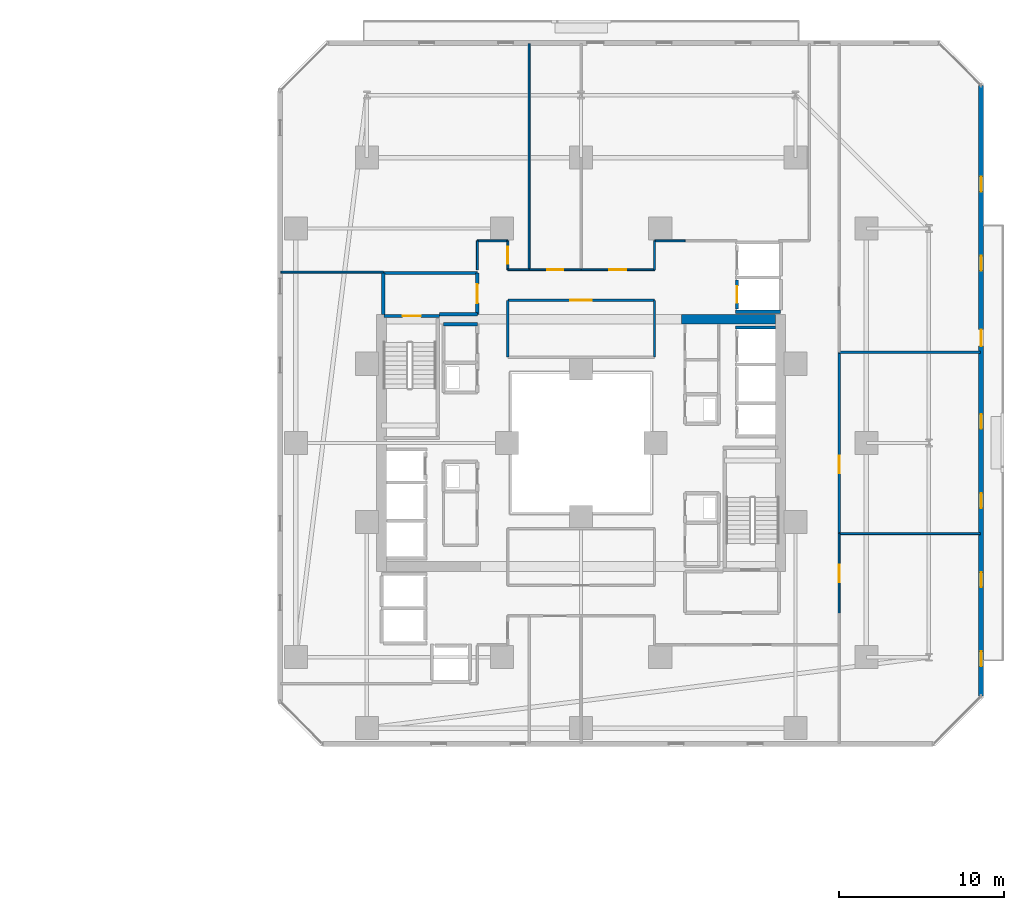
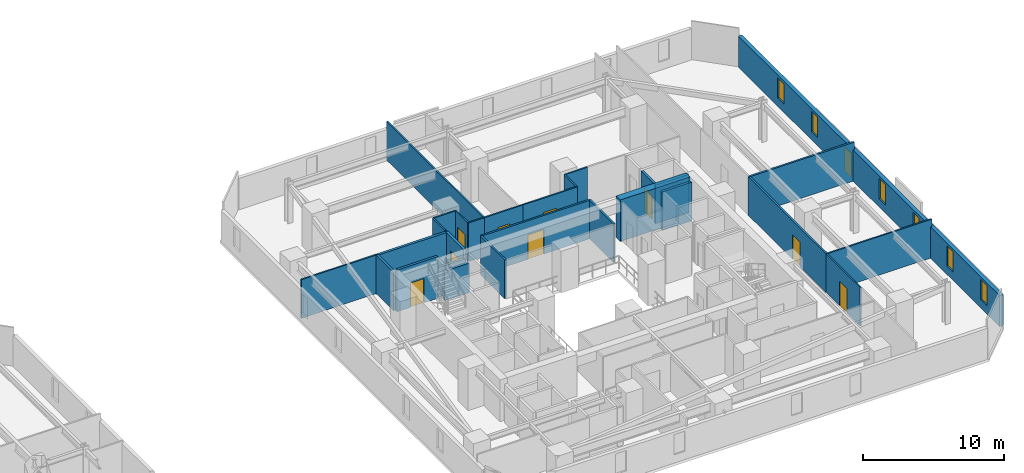
# One storey, part 27 of 35: 28 walls, 10 doors, 6 windows, 16 openings.
"""IFC4 building model written with IfcOpenShell, lengths in metres."""

from ifc_helpers import new_model, si_unit, direction, frame, frame_2d, origin, place, context, subcontext, project, spatial, rectangle, extrude, material, layer, layer_set, type_object, element, fill, save


model = new_model("IFC4")

# Units and contexts
model_context = context("Model", 3, precision=1e-05, world=origin(), true_north=direction((0.0, 1.0)))
body_context = subcontext(model_context, "Body", "Model", "MODEL_VIEW")
ifc_project = project(units=[si_unit("LENGTHUNIT", "METRE"), si_unit("AREAUNIT", "SQUARE_METRE"), si_unit("VOLUMEUNIT", "CUBIC_METRE"), si_unit("PLANEANGLEUNIT", "RADIAN"), si_unit("MASSUNIT", "GRAM", prefix="KILO")], contexts=[model_context])

# Site, building, storey
site_placement = place(None, origin())
site = spatial("IfcSite", under=ifc_project, at=site_placement, CompositionType="ELEMENT")
building_placement = place(site_placement, origin())
building = spatial("IfcBuilding", under=site, at=building_placement, Name="Thornwick Lancets Civic Towers", CompositionType="ELEMENT")
storey_placement = place(building_placement, frame((0.0, 0.0, 64.5)))
storey = spatial("IfcBuildingStorey", under=building, at=storey_placement, Name="L16", CompositionType="ELEMENT", Elevation=64.5)

# Wall, opening, door
ifc_material_1 = material(Name="Concrete blockwork C40/50", Category="masonry")
ifc_layer_1 = layer(ifc_material_1, 0.199951171875, Name="Concrete blockwork C40/50")
ifc_layer_set_1 = layer_set([ifc_layer_1], Name="Concrete blockwork C40/50")
wall_type_1 = type_object("IfcWallType", Name="WALL_COMP_200", PredefinedType="STANDARD", material=ifc_layer_set_1)
wall_1_placement = place(storey_placement, frame((97.949951171875, 36.8701171875, 0.0), z_axis=(0.0, 0.0, 1.0), x_axis=(0.0, -1.0, 0.0)))
wall_1 = element("IfcWall", 1, at=wall_1_placement, inside=storey, type_object=wall_type_1, Name="L16 Hoistway Front Wall PL-BL2", PredefinedType="STANDARD", context=body_context, shape_type="SweptSolid", body=[
    extrude(rectangle(XDim=1.740234375, YDim=0.199951171875, at=frame_2d((0.8701171875, 0.0))), origin(), (0.0, 0.0, 1.0), 3.340087890625),
])
opening_1_placement = place(wall_1_placement, frame((0.360107421875, 0.0, 0.0)))
opening_1 = element("IfcOpeningElement", 2, at=opening_1_placement, cuts=wall_1, Name="Opening LD-PL-BL2", PredefinedType="OPENING", context=body_context, shape_type="SweptSolid", body=[
    extrude(rectangle(XDim=1.02001953125, YDim=2.06005859375, at=frame_2d((0.510009765625, 1.030029296875))), frame((0.0, 0.10986328125, 0.0), z_axis=(0.0, -1.0, 0.0), x_axis=(1.0, 0.0, 0.0)), (0.0, 0.0, 1.0), 0.219970703125),
])
ifc_material_2 = material(Name="Brushed bronze stainless steel", Category="steel")
door_type_1 = type_object("IfcDoorType", Name="DOOR_LIFT_SLIDE", OperationType="SLIDING_TO_LEFT", PredefinedType="DOOR", material=ifc_material_2)
door_1_placement = place(opening_1_placement, origin())
door_1 = element("IfcDoor", 3, at=door_1_placement, inside=storey, type_object=door_type_1, Name="L16 Sliding Lift Landing Door LD-PL-BL2", OperationType="SLIDING_TO_LEFT", OverallHeight=2.06005859375, OverallWidth=1.02001953125, PredefinedType="DOOR", context=body_context, shape_type="SweptSolid", body=[
    extrude(rectangle(XDim=1.02001953125, YDim=2.06005859375, at=frame_2d((0.510009765625, 1.030029296875))), frame((0.0, 0.02490234375, 0.0), z_axis=(0.0, -1.0, 0.0), x_axis=(1.0, 0.0, 0.0)), (0.0, 0.0, 1.0), 0.050048828125),
])
fill(opening_1, door_1)

# Walls
wall_2_placement = place(storey_placement, frame((97.85205078125, 34.0, 0.0), z_axis=(0.0, 0.0, 1.0), x_axis=(1.0, 0.0, 0.0)))
element("IfcWall", 4, at=wall_2_placement, inside=storey, type_object=wall_type_1, Name="L16 Hoistway Shaft Wall PL-BL1 N", PredefinedType="STANDARD", context=body_context, shape_type="SweptSolid", body=[
    extrude(rectangle(XDim=2.43603515625, YDim=0.199951171875, at=frame_2d((1.218017578125, 0.0))), origin(), (0.0, 0.0, 1.0), 3.340087890625),
])
wall_3_placement = place(storey_placement, frame((97.85205078125, 34.949951171875, 0.0), z_axis=(0.0, 0.0, 1.0), x_axis=(1.0, 0.0, 0.0)))
element("IfcWall", 5, at=wall_3_placement, inside=storey, type_object=wall_type_1, Name="L16 Hoistway Shaft Wall PL-BL2 S", PredefinedType="STANDARD", context=body_context, shape_type="SweptSolid", body=[
    extrude(rectangle(XDim=2.745849609375, YDim=0.199951171875, at=frame_2d((1.373046875, 0.0))), origin(), (0.0, 0.0, 1.0), 3.340087890625),
])
wall_4_placement = place(storey_placement, frame((79.89990234375, 34.800048828125, 0.0), z_axis=(0.0, 0.0, 1.0), x_axis=(1.0, 0.0, 0.0)))
element("IfcWall", 6, at=wall_4_placement, inside=storey, type_object=wall_type_1, Name="L16 Partition L16-B-FFLOB2 E1", PredefinedType="STANDARD", context=body_context, shape_type="SweptSolid", body=[
    extrude(rectangle(XDim=2.300048828125, YDim=0.199951171875, at=frame_2d((1.14990234375, 0.0))), origin(), (0.0, 0.0, 1.0), 2.544921875),
])

# Wall, opening, door
wall_5_placement = place(storey_placement, frame((82.199951171875, 34.800048828125, 0.0), z_axis=(0.0, 0.0, 1.0), x_axis=(0.0, 1.0, 0.0)))
wall_5 = element("IfcWall", 7, at=wall_5_placement, inside=storey, type_object=wall_type_1, Name="L16 Partition L16-B-FFLOB2 E2", PredefinedType="STANDARD", context=body_context, shape_type="SweptSolid", body=[
    extrude(rectangle(XDim=2.5, YDim=0.199951171875, at=frame_2d((1.25, 0.0))), origin(), (0.0, 0.0, 1.0), 3.340087890625),
])
opening_2_placement = place(wall_5_placement, frame((0.675048828125, 0.0, 0.0)))
opening_2 = element("IfcOpeningElement", 8, at=opening_2_placement, cuts=wall_5, Name="Opening D-L16-0765", PredefinedType="OPENING", context=body_context, shape_type="SweptSolid", body=[
    extrude(rectangle(XDim=1.14990234375, YDim=2.10009765625, at=frame_2d((0.574951171875, 1.050048828125))), frame((0.0, 0.10986328125, 0.0), z_axis=(0.0, -1.0, 0.0), x_axis=(1.0, 0.0, 0.0)), (0.0, 0.0, 1.0), 0.219970703125),
])
ifc_material_3 = material(Name="Glazed fire-resisting steel", Category="steel")
door_type_2 = type_object("IfcDoorType", Name="DOOR_LOBBY_FD60", OperationType="NOTDEFINED", PredefinedType="DOOR", material=ifc_material_3)
door_2_placement = place(opening_2_placement, origin())
door_2 = element("IfcDoor", 9, at=door_2_placement, inside=storey, type_object=door_type_2, Name="L16 West Firefighting Lobby 2 Door", OperationType="SINGLE_SWING_RIGHT", OverallHeight=2.10009765625, OverallWidth=1.14990234375, PredefinedType="DOOR", context=body_context, shape_type="SweptSolid", body=[
    extrude(rectangle(XDim=1.14990234375, YDim=2.10009765625, at=frame_2d((0.574951171875, 1.050048828125))), frame((0.0, 0.02490234375, 0.0), z_axis=(0.0, -1.0, 0.0), x_axis=(1.0, 0.0, 0.0)), (0.0, 0.0, 1.0), 0.050048828125),
])
fill(opening_2, door_2)

# Walls
wall_6_placement = place(storey_placement, frame((82.199951171875, 37.300048828125, 0.0), z_axis=(0.0, 0.0, 1.0), x_axis=(-1.0, 0.0, 0.0)))
element("IfcWall", 10, at=wall_6_placement, inside=storey, type_object=wall_type_1, Name="L16 Partition L16-B-FFLOB2 E3", PredefinedType="STANDARD", context=body_context, shape_type="SweptSolid", body=[
    extrude(rectangle(XDim=5.699951171875, YDim=0.199951171875, at=frame_2d((2.85009765625, 0.0))), origin(), (0.0, 0.0, 1.0), 3.340087890625),
])
wall_7_placement = place(storey_placement, frame((76.5, 37.300048828125, 0.0), z_axis=(0.0, 0.0, 1.0), x_axis=(0.0, -1.0, 0.0)))
element("IfcWall", 11, at=wall_7_placement, inside=storey, type_object=wall_type_1, Name="L16 Partition L16-B-FFLOB2 E4", PredefinedType="STANDARD", context=body_context, shape_type="SweptSolid", body=[
    extrude(rectangle(XDim=2.5, YDim=0.199951171875, at=frame_2d((1.25, 0.0))), origin(), (0.0, 0.0, 1.0), 3.340087890625),
])
wall_8_placement = place(storey_placement, frame((80.14990234375, 34.199951171875, 0.0), z_axis=(0.0, 0.0, 1.0), x_axis=(1.0, 0.0, 0.0)))
element("IfcWall", 12, at=wall_8_placement, inside=storey, type_object=wall_type_1, Name="L16 Partition L16-B-STR E2", PredefinedType="STANDARD", context=body_context, shape_type="SweptSolid", body=[
    extrude(rectangle(XDim=2.050048828125, YDim=0.199951171875, at=frame_2d((1.02490234375, 0.0))), origin(), (0.0, 0.0, 1.0), 2.544921875),
])
ifc_material_4 = material(Name="Concrete C60/75", Category="concrete")
ifc_layer_2 = layer(ifc_material_4, 0.60009765625, Name="Concrete C60/75")
ifc_layer_set_2 = layer_set([ifc_layer_2], Name="Concrete C60/75")
wall_type_2 = type_object("IfcWallType", Name="WALL_CORE_600", PredefinedType="SHEAR", material=ifc_layer_set_2)
wall_9_placement = place(storey_placement, frame((94.60009765625, 34.5, 0.0), z_axis=(0.0, 0.0, 1.0), x_axis=(1.0, 0.0, 0.0)))
element("IfcWall", 13, at=wall_9_placement, inside=storey, type_object=wall_type_2, Name="L16 Split Core B1 Shear Wall N", PredefinedType="SHEAR", context=body_context, shape_type="SweptSolid", body=[
    extrude(rectangle(XDim=5.699951171875, YDim=0.60009765625, at=frame_2d((2.85009765625, 0.0))), origin(), (0.0, 0.0, 1.0), 3.60009765625),
])

# Wall, openings, door, windows
ifc_material_5 = material(Name="Insulated russet terracotta rainscreen on concrete C40/50", Category="masonry")
ifc_layer_3 = layer(ifc_material_5, 0.300048828125, Name="Insulated russet terracotta rainscreen on concrete C40/50")
ifc_layer_set_3 = layer_set([ifc_layer_3], Name="Insulated russet terracotta rainscreen on concrete C40/50")
wall_type_3 = type_object("IfcWallType", Name="WALL_EXT_RUSSET_300", PredefinedType="STANDARD", material=ifc_layer_set_3)
wall_10_placement = place(storey_placement, frame((112.763671875, 11.64453125, 0.0), z_axis=(0.0, 0.0, 1.0), x_axis=(3.2959355e-05, 0.999999999457, 0.0)))
wall_10 = element("IfcWall", 14, at=wall_10_placement, inside=storey, type_object=wall_type_3, Name="L16 Tower B Terracotta Facade Wall E2", PredefinedType="STANDARD", context=body_context, shape_type="SweptSolid", body=[
    extrude(rectangle(XDim=37.03662109375, YDim=0.300048828125, at=frame_2d((18.518310546875, 0.0))), origin(), (0.0, 0.0, 1.0), 2.699951171875),
])
opening_3_placement = place(wall_10_placement, frame((21.21826171875, 0.0, 0.0)))
opening_3 = element("IfcOpeningElement", 15, at=opening_3_placement, cuts=wall_10, Name="Opening D-BL-L16-BE", PredefinedType="OPENING", context=body_context, shape_type="SweptSolid", body=[
    extrude(rectangle(XDim=1.0, YDim=2.080078125, at=frame_2d((0.5, 1.0400390625))), frame((0.0, 0.16015625, 0.0), z_axis=(0.0, -1.0, 0.0), x_axis=(1.0, 0.0, 0.0)), (0.0, 0.0, 1.0), 0.320068359375),
])
opening_4_placement = place(wall_10_placement, frame((1.800048828125, 0.0, 0.719970703125)))
opening_4 = element("IfcOpeningElement", 16, at=opening_4_placement, cuts=wall_10, Name="Opening WL-01", PredefinedType="OPENING", context=body_context, shape_type="SweptSolid", body=[
    extrude(rectangle(XDim=0.89990234375, YDim=1.75, at=frame_2d((0.449951171875, 0.875))), frame((0.0, 0.16015625, 0.0), z_axis=(0.0, -1.0, 0.0), x_axis=(1.0, 0.0, 0.0)), (0.0, 0.0, 1.0), 0.320068359375),
])
opening_5_placement = place(wall_10_placement, frame((6.60009765625, 0.0, 0.719970703125)))
opening_5 = element("IfcOpeningElement", 17, at=opening_5_placement, cuts=wall_10, Name="Opening WL-01", PredefinedType="OPENING", context=body_context, shape_type="SweptSolid", body=[
    extrude(rectangle(XDim=0.89990234375, YDim=1.75, at=frame_2d((0.449951171875, 0.875))), frame((0.0, 0.16015625, 0.0), z_axis=(0.0, -1.0, 0.0), x_axis=(1.0, 0.0, 0.0)), (0.0, 0.0, 1.0), 0.320068359375),
])
opening_6_placement = place(wall_10_placement, frame((11.39990234375, 0.0, 0.719970703125)))
opening_6 = element("IfcOpeningElement", 18, at=opening_6_placement, cuts=wall_10, Name="Opening WL-01", PredefinedType="OPENING", context=body_context, shape_type="SweptSolid", body=[
    extrude(rectangle(XDim=0.89990234375, YDim=1.75, at=frame_2d((0.449951171875, 0.875))), frame((0.0, 0.16015625, 0.0), z_axis=(0.0, -1.0, 0.0), x_axis=(1.0, 0.0, 0.0)), (0.0, 0.0, 1.0), 0.320068359375),
])
opening_7_placement = place(wall_10_placement, frame((16.199951171875, 0.0, 0.719970703125)))
opening_7 = element("IfcOpeningElement", 19, at=opening_7_placement, cuts=wall_10, Name="Opening WL-01", PredefinedType="OPENING", context=body_context, shape_type="SweptSolid", body=[
    extrude(rectangle(XDim=0.89990234375, YDim=1.75, at=frame_2d((0.449951171875, 0.875))), frame((0.0, 0.16015625, 0.0), z_axis=(0.0, -1.0, 0.0), x_axis=(1.0, 0.0, 0.0)), (0.0, 0.0, 1.0), 0.320068359375),
])
opening_8_placement = place(wall_10_placement, frame((25.800048828125, 0.0, 0.719970703125)))
opening_8 = element("IfcOpeningElement", 20, at=opening_8_placement, cuts=wall_10, Name="Opening WL-01", PredefinedType="OPENING", context=body_context, shape_type="SweptSolid", body=[
    extrude(rectangle(XDim=0.89990234375, YDim=1.75, at=frame_2d((0.449951171875, 0.875))), frame((0.0, 0.16015625, 0.0), z_axis=(0.0, -1.0, 0.0), x_axis=(1.0, 0.0, 0.0)), (0.0, 0.0, 1.0), 0.320068359375),
])
opening_9_placement = place(wall_10_placement, frame((30.60009765625, 0.0, 0.719970703125)))
opening_9 = element("IfcOpeningElement", 21, at=opening_9_placement, cuts=wall_10, Name="Opening WL-01", PredefinedType="OPENING", context=body_context, shape_type="SweptSolid", body=[
    extrude(rectangle(XDim=0.89990234375, YDim=1.75, at=frame_2d((0.449951171875, 0.875))), frame((0.0, 0.16015625, 0.0), z_axis=(0.0, -1.0, 0.0), x_axis=(1.0, 0.0, 0.0)), (0.0, 0.0, 1.0), 0.320068359375),
])
ifc_material_6 = material(Name="Thermally broken glazed loggia doorset")
door_type_3 = type_object("IfcDoorType", Name="DOOR_BALC_1000", OperationType="NOTDEFINED", PredefinedType="DOOR", material=ifc_material_6)
door_3_placement = place(opening_3_placement, origin())
door_3 = element("IfcDoor", 22, at=door_3_placement, inside=storey, type_object=door_type_3, Name="L16 Tower B Loggia Balcony Door E", OperationType="SINGLE_SWING_LEFT", OverallHeight=2.080078125, OverallWidth=1.0, PredefinedType="DOOR", context=body_context, shape_type="SweptSolid", body=[
    extrude(rectangle(XDim=1.0, YDim=2.080078125, at=frame_2d((0.5, 1.0400390625))), frame((0.0, 0.02490234375, 0.0), z_axis=(0.0, -1.0, 0.0), x_axis=(1.0, 0.0, 0.0)), (0.0, 0.0, 1.0), 0.050048828125),
])
fill(opening_3, door_3)
ifc_material_7 = material(Name="Clear low-e double glazing in bronze frame", Category="glass")
window_type = type_object("IfcWindowType", Name="WIN_LANCET_900", PartitioningType="SINGLE_PANEL", PredefinedType="WINDOW", material=ifc_material_7)
window_1_placement = place(opening_4_placement, origin())
window_1 = element("IfcWindow", 23, at=window_1_placement, inside=storey, type_object=window_type, Name="L16 Tower B Staggered Lancet Window E2-1", OverallHeight=1.75, OverallWidth=0.89990234375, PartitioningType="SINGLE_PANEL", PredefinedType="WINDOW", context=body_context, shape_type="SweptSolid", body=[
    extrude(rectangle(XDim=0.89990234375, YDim=1.75, at=frame_2d((0.449951171875, 0.875))), frame((0.0, 0.030029296875, 0.0), z_axis=(0.0, -1.0, 0.0), x_axis=(1.0, 0.0, 0.0)), (0.0, 0.0, 1.0), 0.06005859375),
])
fill(opening_4, window_1)
window_2_placement = place(opening_5_placement, origin())
window_2 = element("IfcWindow", 24, at=window_2_placement, inside=storey, type_object=window_type, Name="L16 Tower B Staggered Lancet Window E2-2", OverallHeight=1.75, OverallWidth=0.89990234375, PartitioningType="SINGLE_PANEL", PredefinedType="WINDOW", context=body_context, shape_type="SweptSolid", body=[
    extrude(rectangle(XDim=0.89990234375, YDim=1.75, at=frame_2d((0.449951171875, 0.875))), frame((0.0, 0.030029296875, 0.0), z_axis=(0.0, -1.0, 0.0), x_axis=(1.0, 0.0, 0.0)), (0.0, 0.0, 1.0), 0.06005859375),
])
fill(opening_5, window_2)
window_3_placement = place(opening_6_placement, origin())
window_3 = element("IfcWindow", 25, at=window_3_placement, inside=storey, type_object=window_type, Name="L16 Tower B Staggered Lancet Window E2-3", OverallHeight=1.75, OverallWidth=0.89990234375, PartitioningType="SINGLE_PANEL", PredefinedType="WINDOW", context=body_context, shape_type="SweptSolid", body=[
    extrude(rectangle(XDim=0.89990234375, YDim=1.75, at=frame_2d((0.449951171875, 0.875))), frame((0.0, 0.030029296875, 0.0), z_axis=(0.0, -1.0, 0.0), x_axis=(1.0, 0.0, 0.0)), (0.0, 0.0, 1.0), 0.06005859375),
])
fill(opening_6, window_3)
window_4_placement = place(opening_7_placement, origin())
window_4 = element("IfcWindow", 26, at=window_4_placement, inside=storey, type_object=window_type, Name="L16 Tower B Staggered Lancet Window E2-4", OverallHeight=1.75, OverallWidth=0.89990234375, PartitioningType="SINGLE_PANEL", PredefinedType="WINDOW", context=body_context, shape_type="SweptSolid", body=[
    extrude(rectangle(XDim=0.89990234375, YDim=1.75, at=frame_2d((0.449951171875, 0.875))), frame((0.0, 0.030029296875, 0.0), z_axis=(0.0, -1.0, 0.0), x_axis=(1.0, 0.0, 0.0)), (0.0, 0.0, 1.0), 0.06005859375),
])
fill(opening_7, window_4)
window_5_placement = place(opening_8_placement, origin())
window_5 = element("IfcWindow", 27, at=window_5_placement, inside=storey, type_object=window_type, Name="L16 Tower B Staggered Lancet Window E2-5", OverallHeight=1.75, OverallWidth=0.89990234375, PartitioningType="SINGLE_PANEL", PredefinedType="WINDOW", context=body_context, shape_type="SweptSolid", body=[
    extrude(rectangle(XDim=0.89990234375, YDim=1.75, at=frame_2d((0.449951171875, 0.875))), frame((0.0, 0.030029296875, 0.0), z_axis=(0.0, -1.0, 0.0), x_axis=(1.0, 0.0, 0.0)), (0.0, 0.0, 1.0), 0.06005859375),
])
fill(opening_8, window_5)
window_6_placement = place(opening_9_placement, origin())
window_6 = element("IfcWindow", 28, at=window_6_placement, inside=storey, type_object=window_type, Name="L16 Tower B Staggered Lancet Window E2-6", OverallHeight=1.75, OverallWidth=0.89990234375, PartitioningType="SINGLE_PANEL", PredefinedType="WINDOW", context=body_context, shape_type="SweptSolid", body=[
    extrude(rectangle(XDim=0.89990234375, YDim=1.75, at=frame_2d((0.449951171875, 0.875))), frame((0.0, 0.030029296875, 0.0), z_axis=(0.0, -1.0, 0.0), x_axis=(1.0, 0.0, 0.0)), (0.0, 0.0, 1.0), 0.06005859375),
])
fill(opening_9, window_6)

# Walls
ifc_material_8 = material(Name="Acoustic gypsum board partition")
ifc_layer_4 = layer(ifc_material_8, 0.1201171875, Name="Acoustic gypsum board partition")
ifc_layer_set_4 = layer_set([ifc_layer_4], Name="Acoustic gypsum board partition")
wall_type_4 = type_object("IfcWallType", Name="WALL_PART_120", PredefinedType="PARTITIONING", material=ifc_layer_set_4)
wall_11_placement = place(storey_placement, frame((94.800048828125, 39.25, 0.0), z_axis=(0.0, 0.0, 1.0), x_axis=(-1.0, 0.0, 0.0)))
element("IfcWall", 29, at=wall_11_placement, inside=storey, type_object=wall_type_4, Name="L16 Partition L16-B-E1 E2", PredefinedType="PARTITIONING", context=body_context, shape_type="SweptSolid", body=[
    extrude(rectangle(XDim=1.85009765625, YDim=0.1201171875, at=frame_2d((0.925048828125, 0.0))), origin(), (0.0, 0.0, 1.0), 3.340087890625),
])
wall_12_placement = place(storey_placement, frame((92.949951171875, 39.25, 0.0), z_axis=(0.0, 0.0, 1.0), x_axis=(0.0, -1.0, 0.0)))
element("IfcWall", 30, at=wall_12_placement, inside=storey, type_object=wall_type_4, Name="L16 Partition L16-B-E1 E3", PredefinedType="PARTITIONING", context=body_context, shape_type="SweptSolid", body=[
    extrude(rectangle(XDim=1.75, YDim=0.1201171875, at=frame_2d((0.875, 0.0))), origin(), (0.0, 0.0, 1.0), 3.340087890625),
])

# Wall, opening, door
wall_13_placement = place(storey_placement, frame((92.949951171875, 37.5, 0.0), z_axis=(0.0, 0.0, 1.0), x_axis=(-1.0, 0.0, 0.0)))
wall_13 = element("IfcWall", 31, at=wall_13_placement, inside=storey, type_object=wall_type_4, Name="L16 Partition L16-B-E1 E4", PredefinedType="PARTITIONING", context=body_context, shape_type="SweptSolid", body=[
    extrude(rectangle(XDim=4.449951171875, YDim=0.1201171875, at=frame_2d((2.22509765625, 0.0))), origin(), (0.0, 0.0, 1.0), 3.340087890625),
])
opening_10_placement = place(wall_13_placement, frame((1.699951171875, 0.0, 0.0)))
opening_10 = element("IfcOpeningElement", 32, at=opening_10_placement, cuts=wall_13, Name="Opening D-L16-0789", PredefinedType="OPENING", context=body_context, shape_type="SweptSolid", body=[
    extrude(rectangle(XDim=1.050048828125, YDim=2.10009765625, at=frame_2d((0.52490234375, 1.050048828125))), frame((0.0, 0.070068359375, 0.0), z_axis=(0.0, -1.0, 0.0), x_axis=(1.0, 0.0, 0.0)), (0.0, 0.0, 1.0), 0.14013671875),
])
ifc_material_9 = material(Name="Glazed European oak executive doorset")
door_type_4 = type_object("IfcDoorType", Name="DOOR_OFFICE_1050", OperationType="NOTDEFINED", PredefinedType="DOOR", material=ifc_material_9)
door_4_placement = place(opening_10_placement, origin())
door_4 = element("IfcDoor", 33, at=door_4_placement, inside=storey, type_object=door_type_4, Name="L16 Tower B Secretariat Open Office E1 Door", OperationType="SINGLE_SWING_RIGHT", OverallHeight=2.10009765625, OverallWidth=1.050048828125, PredefinedType="DOOR", context=body_context, shape_type="SweptSolid", body=[
    extrude(rectangle(XDim=1.050048828125, YDim=2.10009765625, at=frame_2d((0.52490234375, 1.050048828125))), frame((0.0, 0.02490234375, 0.0), z_axis=(0.0, -1.0, 0.0), x_axis=(1.0, 0.0, 0.0)), (0.0, 0.0, 1.0), 0.050048828125),
])
fill(opening_10, door_4)

# Wall
wall_14_placement = place(storey_placement, frame((85.35009765625, 37.5, 0.0), z_axis=(0.0, 0.0, 1.0), x_axis=(0.0, 1.0, 0.0)))
element("IfcWall", 34, at=wall_14_placement, inside=storey, type_object=wall_type_4, Name="L16 Partition L16-B-E2 E1", PredefinedType="PARTITIONING", context=body_context, shape_type="SweptSolid", body=[
    extrude(rectangle(XDim=13.719970703125, YDim=0.1201171875, at=frame_2d((6.85986328125, 0.0))), origin(), (0.0, 0.0, 1.0), 3.340087890625),
])

# Wall, opening, door
wall_15_placement = place(storey_placement, frame((88.5, 37.5, 0.0), z_axis=(0.0, 0.0, 1.0), x_axis=(-1.0, 0.0, 0.0)))
wall_15 = element("IfcWall", 35, at=wall_15_placement, inside=storey, type_object=wall_type_4, Name="L16 Partition L16-B-E2 E4", PredefinedType="PARTITIONING", context=body_context, shape_type="SweptSolid", body=[
    extrude(rectangle(XDim=3.14990234375, YDim=0.1201171875, at=frame_2d((1.574951171875, 0.0))), origin(), (0.0, 0.0, 1.0), 3.340087890625),
])
opening_11_placement = place(wall_15_placement, frame((1.10009765625, 0.0, 0.0)))
opening_11 = element("IfcOpeningElement", 36, at=opening_11_placement, cuts=wall_15, Name="Opening D-L16-0790", PredefinedType="OPENING", context=body_context, shape_type="SweptSolid", body=[
    extrude(rectangle(XDim=0.949951171875, YDim=2.10009765625, at=frame_2d((0.47509765625, 1.050048828125))), frame((0.0, 0.070068359375, 0.0), z_axis=(0.0, -1.0, 0.0), x_axis=(1.0, 0.0, 0.0)), (0.0, 0.0, 1.0), 0.14013671875),
])
ifc_material_10 = material(Name="European oak acoustic doorset")
door_type_5 = type_object("IfcDoorType", Name="DOOR_OFFICE_950", OperationType="NOTDEFINED", PredefinedType="DOOR", material=ifc_material_10)
door_5_placement = place(opening_11_placement, origin())
door_5 = element("IfcDoor", 37, at=door_5_placement, inside=storey, type_object=door_type_5, Name="L16 Tower B Visitors Reception and Waiting Door", OperationType="SINGLE_SWING_LEFT", OverallHeight=2.10009765625, OverallWidth=0.949951171875, PredefinedType="DOOR", context=body_context, shape_type="SweptSolid", body=[
    extrude(rectangle(XDim=0.949951171875, YDim=2.10009765625, at=frame_2d((0.47509765625, 1.050048828125))), frame((0.0, 0.02490234375, 0.0), z_axis=(0.0, -1.0, 0.0), x_axis=(1.0, 0.0, 0.0)), (0.0, 0.0, 1.0), 0.050048828125),
])
fill(opening_11, door_5)

wall_16_placement = place(storey_placement, frame((84.050048828125, 37.5, 0.0), z_axis=(0.0, 0.0, 1.0), x_axis=(0.0, 1.0, 0.0)))
wall_16 = element("IfcWall", 38, at=wall_16_placement, inside=storey, type_object=wall_type_4, Name="L16 Partition L16-B-E3 E1", PredefinedType="PARTITIONING", context=body_context, shape_type="SweptSolid", body=[
    extrude(rectangle(XDim=1.75, YDim=0.1201171875, at=frame_2d((0.875, 0.0))), origin(), (0.0, 0.0, 1.0), 3.340087890625),
])
opening_12_placement = place(wall_16_placement, frame((0.35009765625, 0.0, 0.0)))
opening_12 = element("IfcOpeningElement", 39, at=opening_12_placement, cuts=wall_16, Name="Opening D-L16-0791", PredefinedType="OPENING", context=body_context, shape_type="SweptSolid", body=[
    extrude(rectangle(XDim=1.050048828125, YDim=2.10009765625, at=frame_2d((0.52490234375, 1.050048828125))), frame((0.0, 0.070068359375, 0.0), z_axis=(0.0, -1.0, 0.0), x_axis=(1.0, 0.0, 0.0)), (0.0, 0.0, 1.0), 0.14013671875),
])
door_6_placement = place(opening_12_placement, origin())
door_6 = element("IfcDoor", 40, at=door_6_placement, inside=storey, type_object=door_type_4, Name="L16 Tower B Civic Seminar Room Door", OperationType="SINGLE_SWING_RIGHT", OverallHeight=2.10009765625, OverallWidth=1.050048828125, PredefinedType="DOOR", context=body_context, shape_type="SweptSolid", body=[
    extrude(rectangle(XDim=1.050048828125, YDim=2.10009765625, at=frame_2d((0.52490234375, 1.050048828125))), frame((0.0, 0.02490234375, 0.0), z_axis=(0.0, -1.0, 0.0), x_axis=(1.0, 0.0, 0.0)), (0.0, 0.0, 1.0), 0.050048828125),
])
fill(opening_12, door_6)

# Walls
wall_17_placement = place(storey_placement, frame((84.050048828125, 39.25, 0.0), z_axis=(0.0, 0.0, 1.0), x_axis=(-1.0, 0.0, 0.0)))
element("IfcWall", 41, at=wall_17_placement, inside=storey, type_object=wall_type_4, Name="L16 Partition L16-B-E3 E2", PredefinedType="PARTITIONING", context=body_context, shape_type="SweptSolid", body=[
    extrude(rectangle(XDim=1.85009765625, YDim=0.1201171875, at=frame_2d((0.925048828125, 0.0))), origin(), (0.0, 0.0, 1.0), 3.340087890625),
])
wall_18_placement = place(storey_placement, frame((82.199951171875, 39.25, 0.0), z_axis=(0.0, 0.0, 1.0), x_axis=(0.0, -1.0, 0.0)))
element("IfcWall", 42, at=wall_18_placement, inside=storey, type_object=wall_type_4, Name="L16 Partition L16-B-E3 E3", PredefinedType="PARTITIONING", context=body_context, shape_type="SweptSolid", body=[
    extrude(rectangle(XDim=1.75, YDim=0.1201171875, at=frame_2d((0.875, 0.0))), origin(), (0.0, 0.0, 1.0), 3.340087890625),
])
wall_19_placement = place(storey_placement, frame((76.5, 37.35009765625, 0.0), z_axis=(0.0, 0.0, 1.0), x_axis=(-1.0, 0.0, 0.0)))
element("IfcWall", 43, at=wall_19_placement, inside=storey, type_object=wall_type_4, Name="L16 Partition L16-B-E3 E5", PredefinedType="PARTITIONING", context=body_context, shape_type="SweptSolid", body=[
    extrude(rectangle(XDim=6.219970703125, YDim=0.1201171875, at=frame_2d((3.10986328125, 0.0))), origin(), (0.0, 0.0, 1.0), 3.340087890625),
])
wall_20_placement = place(storey_placement, frame((85.35009765625, 37.5, 0.0), z_axis=(0.0, 0.0, 1.0), x_axis=(-1.0, 0.0, 0.0)))
element("IfcWall", 44, at=wall_20_placement, inside=storey, type_object=wall_type_4, Name="L16 Partition L16-B-E3 E10", PredefinedType="PARTITIONING", context=body_context, shape_type="SweptSolid", body=[
    extrude(rectangle(XDim=1.300048828125, YDim=0.1201171875, at=frame_2d((0.64990234375, 0.0))), origin(), (0.0, 0.0, 1.0), 3.340087890625),
])

# Wall, opening, door
wall_21_placement = place(storey_placement, frame((104.14990234375, 16.64990234375, 0.0), z_axis=(0.0, 0.0, 1.0), x_axis=(0.0, 1.0, 0.0)))
wall_21 = element("IfcWall", 45, at=wall_21_placement, inside=storey, type_object=wall_type_4, Name="L16 Partition L16-B-S-OFF1 E4", PredefinedType="PARTITIONING", context=body_context, shape_type="SweptSolid", body=[
    extrude(rectangle(XDim=4.85009765625, YDim=0.1201171875, at=frame_2d((2.425048828125, 0.0))), origin(), (0.0, 0.0, 1.0), 3.340087890625),
])
opening_13_placement = place(wall_21_placement, frame((1.89990234375, 0.0, 0.0)))
opening_13 = element("IfcOpeningElement", 46, at=opening_13_placement, cuts=wall_21, Name="Opening D-L16-0794", PredefinedType="OPENING", context=body_context, shape_type="SweptSolid", body=[
    extrude(rectangle(XDim=1.050048828125, YDim=2.10009765625, at=frame_2d((0.52490234375, 1.050048828125))), frame((0.0, 0.070068359375, 0.0), z_axis=(0.0, -1.0, 0.0), x_axis=(1.0, 0.0, 0.0)), (0.0, 0.0, 1.0), 0.14013671875),
])
door_7_placement = place(opening_13_placement, origin())
door_7 = element("IfcDoor", 47, at=door_7_placement, inside=storey, type_object=door_type_4, Name="L16 Tower B South-West Division Office Door", OperationType="SINGLE_SWING_LEFT", OverallHeight=2.10009765625, OverallWidth=1.050048828125, PredefinedType="DOOR", context=body_context, shape_type="SweptSolid", body=[
    extrude(rectangle(XDim=1.050048828125, YDim=2.10009765625, at=frame_2d((0.52490234375, 1.050048828125))), frame((0.0, 0.02490234375, 0.0), z_axis=(0.0, -1.0, 0.0), x_axis=(1.0, 0.0, 0.0)), (0.0, 0.0, 1.0), 0.050048828125),
])
fill(opening_13, door_7)

# Walls
wall_22_placement = place(storey_placement, frame((104.14990234375, 21.5, 0.0), z_axis=(0.0, 0.0, 1.0), x_axis=(1.0, 0.0, 0.0)))
element("IfcWall", 48, at=wall_22_placement, inside=storey, type_object=wall_type_4, Name="L16 Partition L16-B-S-OFF1 E5", PredefinedType="PARTITIONING", context=body_context, shape_type="SweptSolid", body=[
    extrude(rectangle(XDim=8.570068359375, YDim=0.1201171875, at=frame_2d((4.28515625, 0.0))), origin(), (0.0, 0.0, 1.0), 3.340087890625),
])
ifc_material_11 = material(Name="Twin-stud acoustic gypsum board")
ifc_layer_5 = layer(ifc_material_11, 0.14990234375, Name="Twin-stud acoustic gypsum board")
ifc_layer_set_5 = layer_set([ifc_layer_5], Name="Twin-stud acoustic gypsum board")
wall_type_5 = type_object("IfcWallType", Name="WALL_PART_150", PredefinedType="PARTITIONING", material=ifc_layer_set_5)
wall_23_placement = place(storey_placement, frame((84.050048828125, 32.199951171875, 0.0), z_axis=(0.0, 0.0, 1.0), x_axis=(0.0, 1.0, 0.0)))
element("IfcWall", 49, at=wall_23_placement, inside=storey, type_object=wall_type_5, Name="L16 Partition L16-B-ATR-E E1", PredefinedType="PARTITIONING", context=body_context, shape_type="SweptSolid", body=[
    extrude(rectangle(XDim=3.449951171875, YDim=0.14990234375, at=frame_2d((1.72509765625, 0.0))), origin(), (0.0, 0.0, 1.0), 3.340087890625),
])

# Wall, opening, door
wall_24_placement = place(storey_placement, frame((84.050048828125, 35.64990234375, 0.0), z_axis=(0.0, 0.0, 1.0), x_axis=(1.0, 0.0, 0.0)))
wall_24 = element("IfcWall", 50, at=wall_24_placement, inside=storey, type_object=wall_type_5, Name="L16 Partition L16-B-ATR-E E2", PredefinedType="PARTITIONING", context=body_context, shape_type="SweptSolid", body=[
    extrude(rectangle(XDim=8.89990234375, YDim=0.14990234375, at=frame_2d((4.449951171875, 0.0))), origin(), (0.0, 0.0, 1.0), 3.340087890625),
])
opening_14_placement = place(wall_24_placement, frame((3.800048828125, 0.0, 0.0)))
opening_14 = element("IfcOpeningElement", 51, at=opening_14_placement, cuts=wall_24, Name="Opening D-L16-0792", PredefinedType="OPENING", context=body_context, shape_type="SweptSolid", body=[
    extrude(rectangle(XDim=1.300048828125, YDim=2.1201171875, at=frame_2d((0.64990234375, 1.06005859375))), frame((0.0, 0.0849609375, 0.0), z_axis=(0.0, -1.0, 0.0), x_axis=(1.0, 0.0, 0.0)), (0.0, 0.0, 1.0), 0.169921875),
])
ifc_material_12 = material(Name="Acoustic oak leaf-and-a-half doorset")
door_type_6 = type_object("IfcDoorType", Name="DOOR_MEET_1300", OperationType="DOUBLE_DOOR_SINGLE_SWING", PredefinedType="DOOR", material=ifc_material_12)
door_8_placement = place(opening_14_placement, origin())
door_8 = element("IfcDoor", 52, at=door_8_placement, inside=storey, type_object=door_type_6, Name="L16 Tower B East Atrium Briefing Suite Door", OperationType="DOUBLE_DOOR_SINGLE_SWING", OverallHeight=2.1201171875, OverallWidth=1.300048828125, PredefinedType="DOOR", context=body_context, shape_type="SweptSolid", body=[
    extrude(rectangle(XDim=1.300048828125, YDim=2.1201171875, at=frame_2d((0.64990234375, 1.06005859375))), frame((0.0, 0.02490234375, 0.0), z_axis=(0.0, -1.0, 0.0), x_axis=(1.0, 0.0, 0.0)), (0.0, 0.0, 1.0), 0.050048828125),
])
fill(opening_14, door_8)

# Wall
wall_25_placement = place(storey_placement, frame((92.949951171875, 35.64990234375, 0.0), z_axis=(0.0, 0.0, 1.0), x_axis=(0.0, -1.0, 0.0)))
element("IfcWall", 53, at=wall_25_placement, inside=storey, type_object=wall_type_5, Name="L16 Partition L16-B-ATR-E E3", PredefinedType="PARTITIONING", context=body_context, shape_type="SweptSolid", body=[
    extrude(rectangle(XDim=3.449951171875, YDim=0.14990234375, at=frame_2d((1.72509765625, 0.0))), origin(), (0.0, 0.0, 1.0), 3.340087890625),
])

# Wall, opening, door
wall_26_placement = place(storey_placement, frame((104.14990234375, 21.5, 0.0), z_axis=(0.0, 0.0, 1.0), x_axis=(0.0, 1.0, 0.0)))
wall_26 = element("IfcWall", 54, at=wall_26_placement, inside=storey, type_object=wall_type_5, Name="L16 Partition L16-B-S-ARCH E1", PredefinedType="PARTITIONING", context=body_context, shape_type="SweptSolid", body=[
    extrude(rectangle(XDim=11.0, YDim=0.14990234375, at=frame_2d((5.5, 0.0))), origin(), (0.0, 0.0, 1.0), 3.340087890625),
])
opening_15_placement = place(wall_26_placement, frame((3.655029296875, 0.0, 0.0)))
opening_15 = element("IfcOpeningElement", 55, at=opening_15_placement, cuts=wall_26, Name="Opening D-L16-0795", PredefinedType="OPENING", context=body_context, shape_type="SweptSolid", body=[
    extrude(rectangle(XDim=1.050048828125, YDim=2.10009765625, at=frame_2d((0.52490234375, 1.050048828125))), frame((0.0, 0.0849609375, 0.0), z_axis=(0.0, -1.0, 0.0), x_axis=(1.0, 0.0, 0.0)), (0.0, 0.0, 1.0), 0.169921875),
])
door_9_placement = place(opening_15_placement, origin())
door_9 = element("IfcDoor", 56, at=door_9_placement, inside=storey, type_object=door_type_4, Name="L16 Tower B Registry and Records Archive Door", OperationType="SINGLE_SWING_RIGHT", OverallHeight=2.10009765625, OverallWidth=1.050048828125, PredefinedType="DOOR", context=body_context, shape_type="SweptSolid", body=[
    extrude(rectangle(XDim=1.050048828125, YDim=2.10009765625, at=frame_2d((0.52490234375, 1.050048828125))), frame((0.0, 0.02490234375, 0.0), z_axis=(0.0, -1.0, 0.0), x_axis=(1.0, 0.0, 0.0)), (0.0, 0.0, 1.0), 0.050048828125),
])
fill(opening_15, door_9)

# Wall
wall_27_placement = place(storey_placement, frame((104.14990234375, 32.5, 0.0), z_axis=(0.0, 0.0, 1.0), x_axis=(1.0, 0.0, 0.0)))
element("IfcWall", 57, at=wall_27_placement, inside=storey, type_object=wall_type_5, Name="L16 Partition L16-B-S-ARCH E2", PredefinedType="PARTITIONING", context=body_context, shape_type="SweptSolid", body=[
    extrude(rectangle(XDim=8.570068359375, YDim=0.14990234375, at=frame_2d((4.28515625, 0.0))), origin(), (0.0, 0.0, 1.0), 3.340087890625),
])

# Wall, opening, door
ifc_material_13 = material(Name="Concrete C40/50", Category="concrete")
ifc_layer_6 = layer(ifc_material_13, 0.199951171875, Name="Concrete C40/50")
ifc_layer_set_6 = layer_set([ifc_layer_6], Name="Concrete C40/50")
wall_type_6 = type_object("IfcWallType", Name="WALL_SHAFT_200", PredefinedType="SHEAR", material=ifc_layer_set_6)
wall_28_placement = place(storey_placement, frame((76.550048828125, 34.699951171875, 0.0), z_axis=(0.0, 0.0, 1.0), x_axis=(1.0, 0.0, 0.0)))
wall_28 = element("IfcWall", 58, at=wall_28_placement, inside=storey, type_object=wall_type_6, Name="L16 ST-B2 Fire Stair Core Wall NEAR", PredefinedType="SHEAR", context=body_context, shape_type="SweptSolid", body=[
    extrude(rectangle(XDim=3.349853515625, YDim=0.199951171875, at=frame_2d((1.6748046875, 0.0))), origin(), (0.0, 0.0, 1.0), 3.60009765625),
])
opening_16_placement = place(wall_28_placement, frame((1.125, 0.0, 0.0)))
opening_16 = element("IfcOpeningElement", 59, at=opening_16_placement, cuts=wall_28, Name="Opening D-ST-B2-L16", PredefinedType="OPENING", context=body_context, shape_type="SweptSolid", body=[
    extrude(rectangle(XDim=1.10009765625, YDim=2.10009765625, at=frame_2d((0.550048828125, 1.050048828125))), frame((0.0, 0.10986328125, 0.0), z_axis=(0.0, -1.0, 0.0), x_axis=(1.0, 0.0, 0.0)), (0.0, 0.0, 1.0), 0.219970703125),
])
ifc_material_14 = material(Name="Fire-resisting steel and hardwood", Category="steel")
door_type_7 = type_object("IfcDoorType", Name="DOOR_STAIR_FD60", OperationType="NOTDEFINED", PredefinedType="DOOR", material=ifc_material_14)
door_10_placement = place(opening_16_placement, origin())
door_10 = element("IfcDoor", 60, at=door_10_placement, inside=storey, type_object=door_type_7, Name="L16 ST-B2 Exit Stair Door", OperationType="SINGLE_SWING_LEFT", OverallHeight=2.10009765625, OverallWidth=1.10009765625, PredefinedType="DOOR", context=body_context, shape_type="SweptSolid", body=[
    extrude(rectangle(XDim=1.10009765625, YDim=2.10009765625, at=frame_2d((0.550048828125, 1.050048828125))), frame((0.0, 0.02490234375, 0.0), z_axis=(0.0, -1.0, 0.0), x_axis=(1.0, 0.0, 0.0)), (0.0, 0.0, 1.0), 0.050048828125),
])
fill(opening_16, door_10)

save(model, "model.ifc")
